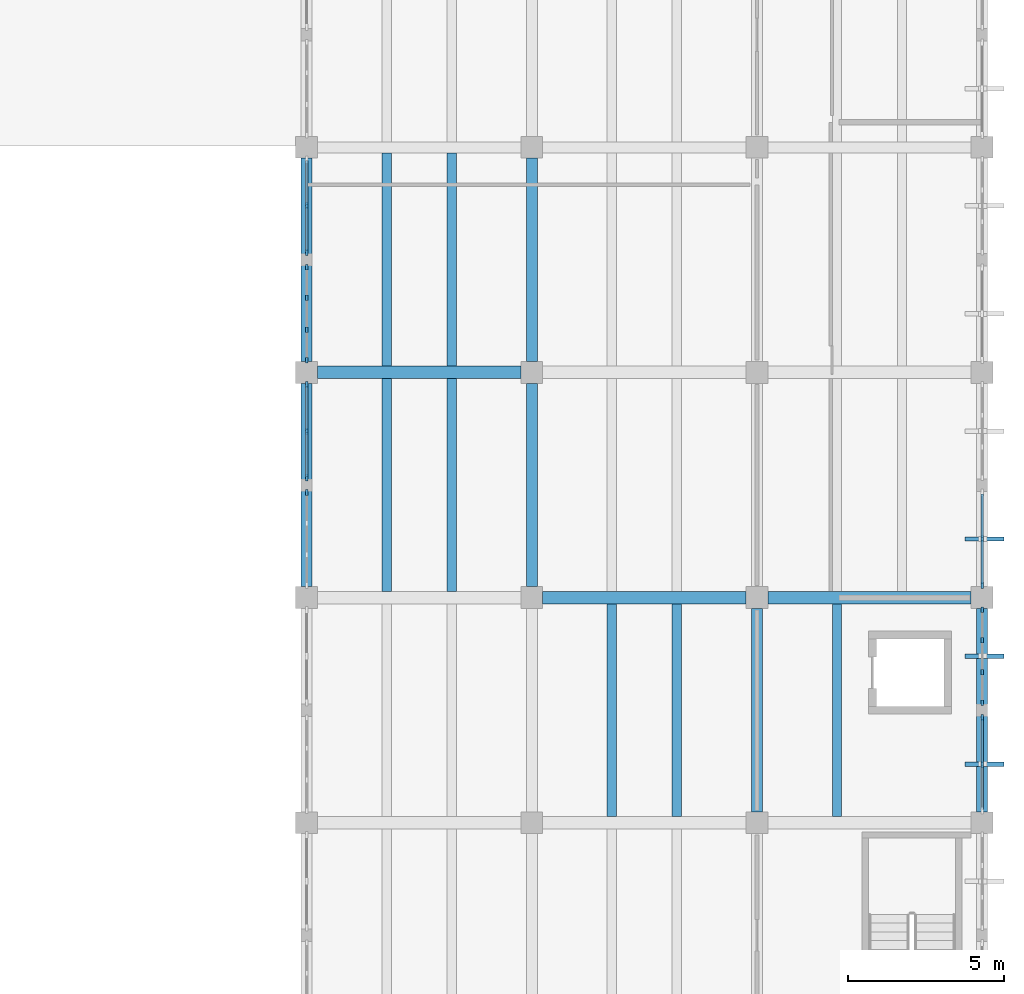
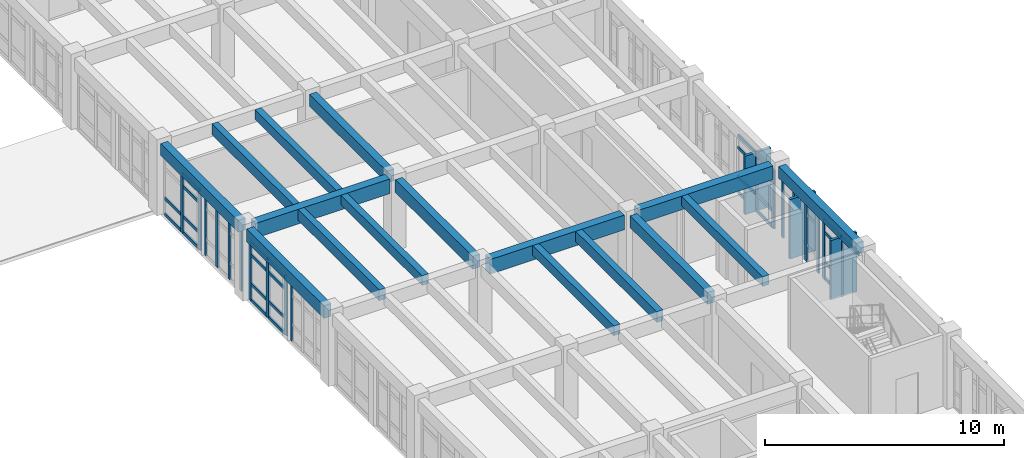
# One storey, part 14 of 54: 48 members, 16 beams, 7 elements without a shape of their own.
"""IFC4 building model written with IfcOpenShell, lengths in metres."""

import ifcopenshell
import ifcopenshell.guid

model = None  # the IFC model being written
_history = None  # IfcOwnerHistory: only IFC2X3 demands one
_inside = {}  # id of a spatial element -> (the spatial element, [elements in it])
_under = {}  # id of a project, library or spatial element -> (it, [spatial elements below it])
_declared = {}  # id of a project -> (the project, [libraries it declares])
_typed = {}  # id of a type object -> (the type object, [elements of that type])
_made_of = {}  # id of a material, layer set ... -> (it, [elements and type objects made of it])


def new_model(schema):
    """Start an empty IFC model of exactly this schema.

    Asked for "IFC4X3", IfcOpenShell would pick the latest addendum, in which some entities
    have other attributes; the version numbers below select the first issue.
    IFC2X3 requires an IfcOwnerHistory on every rooted entity: one is made here for all.
    """
    global model, _history
    if schema == "IFC4X3":
        model = ifcopenshell.file(schema_version=(4, 3, 0, 0))
    else:
        model = ifcopenshell.file(schema=schema)
    _inside.clear()
    _under.clear()
    _declared.clear()
    _typed.clear()
    _made_of.clear()
    _history = None
    if model.schema == "IFC2X3":
        org = make("IfcOrganization", Name="unknown")
        user = make(
            "IfcPersonAndOrganization",
            ThePerson=make("IfcPerson", FamilyName="unknown"),
            TheOrganization=org,
        )
        app = make(
            "IfcApplication",
            ApplicationDeveloper=org,
            Version="unknown",
            ApplicationFullName="unknown",
            ApplicationIdentifier="unknown",
        )
        _history = make(
            "IfcOwnerHistory",
            OwningUser=user,
            OwningApplication=app,
            ChangeAction="ADDED",
            CreationDate=0,
        )
    return model


def make(cls, **values):
    """One entity of the class cls with the attributes given. An attribute that is None is left unset."""
    return model.create_entity(
        cls, **{name: value for name, value in values.items() if value is not None}
    )


def rooted(cls, **values):
    """An entity with a GlobalId (a new one), such as an element, a storey or a relation."""
    return make(cls, GlobalId=ifcopenshell.guid.new(), OwnerHistory=_history, **values)


def si_unit(unit_type, name, prefix=None):
    """IfcSIUnit, for example si_unit("LENGTHUNIT", "METRE", prefix="MILLI")."""
    return make("IfcSIUnit", UnitType=unit_type, Prefix=prefix, Name=name)


def assignment(units):
    """IfcUnitAssignment: the units of a project."""
    return None if units is None else make("IfcUnitAssignment", Units=units)


def point(xyz):
    """IfcCartesianPoint."""
    return None if xyz is None else make("IfcCartesianPoint", Coordinates=xyz)


def direction(xyz):
    """IfcDirection."""
    return None if xyz is None else make("IfcDirection", DirectionRatios=xyz)


def frame(location, z_axis=None, x_axis=None):
    """IfcAxis2Placement3D, a coordinate frame: its origin and axes. An axis left out is left unset."""
    return make(
        "IfcAxis2Placement3D",
        Location=point(location),
        Axis=direction(z_axis),
        RefDirection=direction(x_axis),
    )


def frame_2d(location, x_axis=None):
    """IfcAxis2Placement2D, a coordinate frame in the plane: its origin and x axis."""
    return make(
        "IfcAxis2Placement2D", Location=point(location), RefDirection=direction(x_axis)
    )


def origin():
    """The frame at (0, 0, 0) with its axes left unset."""
    return frame((0.0, 0.0, 0.0))


def origin_2d():
    """The frame at (0, 0) in the plane with its x axis left unset."""
    return frame_2d((0.0, 0.0))


def place(relative_to, where):
    """IfcLocalPlacement: puts the frame where relative to a parent placement (None: the world)."""
    return make(
        "IfcLocalPlacement", PlacementRelTo=relative_to, RelativePlacement=where
    )


def context(
    kind, dimensions, precision=None, world=None, true_north=None, identifier=None
):
    """IfcGeometricRepresentationContext, for example the 3D "Model" context."""
    return make(
        "IfcGeometricRepresentationContext",
        ContextIdentifier=identifier,
        ContextType=kind,
        CoordinateSpaceDimension=dimensions,
        Precision=precision,
        WorldCoordinateSystem=world,
        TrueNorth=true_north,
    )


def subcontext(parent, identifier, kind, view, scale=None):
    """IfcGeometricRepresentationSubContext, for example "Body" below "Model"."""
    return make(
        "IfcGeometricRepresentationSubContext",
        ContextIdentifier=identifier,
        ContextType=kind,
        ParentContext=parent,
        TargetScale=scale,
        TargetView=view,
    )


def project(units=None, contexts=None):
    """IfcProject with its units and contexts."""
    return rooted(
        "IfcProject",
        Name="project",
        RepresentationContexts=contexts,
        UnitsInContext=assignment(units),
    )


def spatial(cls, under=None, at=None, **own):
    """A site, building, storey or space (cls), placed at a placement, below another one or the project."""
    s = rooted(cls, ObjectPlacement=at, **own)
    if under is not None:
        _under.setdefault(under.id(), (under, []))[1].append(s)
    return s


def profile(cls, at=None, kind="AREA", **sizes):
    """A parametric profile (cls). Its sizes go by their IFC names, for example OverallWidth=200.0."""
    return make(cls, ProfileType=kind, Position=at, **sizes)


def rectangle(**sizes):
    """IfcRectangleProfileDef."""
    return profile("IfcRectangleProfileDef", **sizes)


def extrude(swept, where, along, depth):
    """IfcExtrudedAreaSolid: the profile swept, set in the frame where, extruded along a direction by depth."""
    return make(
        "IfcExtrudedAreaSolid",
        SweptArea=swept,
        Position=where,
        ExtrudedDirection=direction(along),
        Depth=depth,
    )


def shape(context_of_items, identifier, shape_type, items):
    """IfcShapeRepresentation: the items that make up one representation, for example the "Body"."""
    return make(
        "IfcShapeRepresentation",
        ContextOfItems=context_of_items,
        RepresentationIdentifier=identifier,
        RepresentationType=shape_type,
        Items=items,
    )


def material(Name=None, Category=None):
    """IfcMaterial."""
    return make("IfcMaterial", Name=Name, Category=Category)


def layer(
    of_material, thickness, ventilated=None, Name=None, Category=None, Priority=None
):
    """IfcMaterialLayer: one layer of a wall or slab, of a material (None: an air gap)."""
    return make(
        "IfcMaterialLayer",
        Material=of_material,
        LayerThickness=thickness,
        IsVentilated=ventilated,
        Name=Name,
        Category=Category,
        Priority=Priority,
    )


def layer_set(layers, Name=None):
    """IfcMaterialLayerSet."""
    return make("IfcMaterialLayerSet", MaterialLayers=layers, LayerSetName=Name)


def material_profile(
    of_material, cross_section, Name=None, Category=None, Priority=None
):
    """IfcMaterialProfile: a cross section and its material."""
    return make(
        "IfcMaterialProfile",
        Name=Name,
        Material=of_material,
        Profile=cross_section,
        Priority=Priority,
        Category=Category,
    )


def profile_set(profiles, Name=None, composite=None):
    """IfcMaterialProfileSet."""
    return make(
        "IfcMaterialProfileSet",
        Name=Name,
        MaterialProfiles=profiles,
        CompositeProfile=composite,
    )


def made_of(thing, what):
    """Note that an element or type object is made of a material, layer set ...; save() writes the relation."""
    if what is not None:
        _made_of.setdefault(what.id(), (what, []))[1].append(thing)
    return thing


def type_object(cls, material=None, **own):
    """A type object (cls), such as IfcWallType, which elements share."""
    return made_of(rooted(cls, **own), material)


def element(
    cls,
    number,
    at=None,
    inside=None,
    cuts=None,
    type_object=None,
    material=None,
    context=None,
    identifier="Body",
    shape_type=None,
    held_by="IfcProductDefinitionShape",
    body=None,
    shapes=None,
    **own,
):
    """One element of the class cls, such as IfcWall. Its Tag is "e" and its number.

    at: its placement. inside: the storey or other place that contains it. cuts: it is an
    opening in that element (IfcRelVoidsElement). A single representation is given by context,
    identifier, shape_type and body (its items); several are given by shapes. held_by: the class
    of the entity that holds the representations. save() writes the other relations.
    """
    e = rooted(cls, Tag="e%d" % number, ObjectPlacement=at, **own)
    if body is not None:
        shapes = [shape(context, identifier, shape_type, body)]
    if shapes is not None:
        e.Representation = make(held_by, Representations=shapes)
    if inside is not None:
        _inside.setdefault(inside.id(), (inside, []))[1].append(e)
    if cuts is not None:
        rooted(
            "IfcRelVoidsElement", RelatingBuildingElement=cuts, RelatedOpeningElement=e
        )
    if type_object is not None:
        _typed.setdefault(type_object.id(), (type_object, []))[1].append(e)
    return made_of(e, material)


def aggregate(whole, parts):
    """IfcRelAggregates: a whole, such as a stair, and the parts it consists of."""
    return rooted("IfcRelAggregates", RelatingObject=whole, RelatedObjects=parts)


def save(model, path):
    """Write the relations noted so far, then the file.

    IfcRelAggregates (storeys below a building ...), IfcRelContainedInSpatialStructure (elements
    in a storey), IfcRelDefinesByType, IfcRelAssociatesMaterial and IfcRelDeclares: one each for
    every whole, place, type object, material and project.
    """
    for whole, parts in _under.values():
        aggregate(whole, parts)
    for where, things in _inside.values():
        rooted(
            "IfcRelContainedInSpatialStructure",
            RelatedElements=things,
            RelatingStructure=where,
        )
    for kind, things in _typed.values():
        rooted("IfcRelDefinesByType", RelatedObjects=things, RelatingType=kind)
    for what, things in _made_of.values():
        rooted("IfcRelAssociatesMaterial", RelatedObjects=things, RelatingMaterial=what)
    for by, libraries in _declared.values():
        rooted("IfcRelDeclares", RelatingContext=by, RelatedDefinitions=libraries)
    model.write(path)


model = new_model("IFC4")

# Units and contexts
model_context = context("Model", 3, precision=1e-05, world=origin(), true_north=direction((0.0, 1.0)))
body_context = subcontext(model_context, "Body", "Model", "MODEL_VIEW")
ifc_project = project(units=[si_unit("LENGTHUNIT", "METRE"), si_unit("AREAUNIT", "SQUARE_METRE"), si_unit("VOLUMEUNIT", "CUBIC_METRE"), si_unit("PLANEANGLEUNIT", "RADIAN"), si_unit("MASSUNIT", "GRAM", prefix="KILO")], contexts=[model_context])

# Site, building, storey
site_placement = place(None, origin())
site = spatial("IfcSite", under=ifc_project, at=site_placement, CompositionType="ELEMENT")
building_placement = place(site_placement, origin())
building = spatial("IfcBuilding", under=site, at=building_placement, Name="Koriwan Promenade Central Fire Station", CompositionType="ELEMENT")
storey_placement = place(building_placement, frame((0.0, 0.0, 9.60009765625)))
storey = spatial("IfcBuildingStorey", under=building, at=storey_placement, Name="L02", CompositionType="ELEMENT", Elevation=9.60009765625)

# Beams
ifc_material_1 = material(Name="Concrete C35/45", Category="concrete")
ifc_material_profile_1 = material_profile(ifc_material_1, rectangle(XDim=0.300048828125, YDim=0.5, at=origin_2d()), Name="RC-BM-300x500")
ifc_profile_set_1 = profile_set([ifc_material_profile_1], Name="Concrete C35/45")
beam_type_1 = type_object("IfcBeamType", Name="Beam_RC-BM-300x500", PredefinedType="JOIST", material=ifc_profile_set_1)
for number, where, z_axis, x_axis, name in (
    (1, (160.9599609375, 21.800048828125, 3.39990234375), (0.0, 1.0, 0.0), (-1.0, 0.0, 0.0), "V5 L02 secondary joist 833"),
    (2, (168.159912109375, 21.800048828125, 3.39990234375), (0.0, 1.0, 0.0), (-1.0, 0.0, 0.0), "V5 L02 secondary joist 835"),
    (3, (155.840087890625, 29.0, 3.39990234375), (0.0, 1.0, 0.0), (-1.0, 0.0, 0.0), "V5 L02 secondary joist 837"),
):
    element("IfcBeam", number, at=place(storey_placement, frame(where, z_axis=z_axis, x_axis=x_axis)), inside=storey, type_object=beam_type_1, Name=name, PredefinedType="JOIST", context=body_context, shape_type="SweptSolid", body=[
        extrude(rectangle(XDim=0.300048828125, YDim=0.5, at=origin_2d()), origin(), (0.0, 0.0, 1.0), 6.800048828125),
    ])
beam_1_placement = place(storey_placement, frame((155.840087890625, 36.199951171875, 3.39990234375), z_axis=(0.0, 1.0, 0.0), x_axis=(-1.0, 0.0, 0.0)))
element("IfcBeam", 4, at=beam_1_placement, inside=storey, type_object=beam_type_1, Name="V5 L02 secondary joist 843", PredefinedType="JOIST", context=body_context, shape_type="SweptSolid", body=[
    extrude(rectangle(XDim=0.300048828125, YDim=0.5, at=origin_2d()), origin(), (0.0, 0.0, 1.0), 6.824951171875),
])
ifc_material_profile_2 = material_profile(ifc_material_1, rectangle(XDim=0.300048828125, YDim=0.550048828125, at=origin_2d()), Name="RC-BM-300x550")
ifc_profile_set_2 = profile_set([ifc_material_profile_2], Name="Concrete C35/45")
beam_type_2 = type_object("IfcBeamType", Name="Beam_RC-BM-300x550", PredefinedType="JOIST", material=ifc_profile_set_2)
for number, where, z_axis, x_axis, name in (
    (5, (163.0400390625, 21.800048828125, 3.375), (0.0, 1.0, 0.0), (-1.0, 0.0, 0.0), "V5 L02 secondary joist 834"),
    (6, (153.760009765625, 29.0, 3.375), (0.0, 1.0, 0.0), (-1.0, 0.0, 0.0), "V5 L02 secondary joist 836"),
):
    element("IfcBeam", number, at=place(storey_placement, frame(where, z_axis=z_axis, x_axis=x_axis)), inside=storey, type_object=beam_type_2, Name=name, PredefinedType="JOIST", context=body_context, shape_type="SweptSolid", body=[
        extrude(rectangle(XDim=0.300048828125, YDim=0.550048828125, at=origin_2d()), origin(), (0.0, 0.0, 1.0), 6.800048828125),
    ])
beam_2_placement = place(storey_placement, frame((153.760009765625, 36.199951171875, 3.375), z_axis=(0.0, 1.0, 0.0), x_axis=(-1.0, 0.0, 0.0)))
element("IfcBeam", 7, at=beam_2_placement, inside=storey, type_object=beam_type_2, Name="V5 L02 secondary joist 842", PredefinedType="JOIST", context=body_context, shape_type="SweptSolid", body=[
    extrude(rectangle(XDim=0.300048828125, YDim=0.550048828125, at=origin_2d()), origin(), (0.0, 0.0, 1.0), 6.824951171875),
])
ifc_material_profile_3 = material_profile(ifc_material_1, rectangle(XDim=0.35009765625, YDim=0.60009765625, at=origin_2d()), Name="RC-BM-350x600")
ifc_profile_set_3 = profile_set([ifc_material_profile_3], Name="Concrete C35/45")
beam_type_3 = type_object("IfcBeamType", Name="Beam_RC-BM-350x600", PredefinedType="BEAM", material=ifc_profile_set_3)
for number, where, z_axis, x_axis, name in (
    (8, (151.199951171875, 36.35009765625, 3.349853515625), (0.0, 1.0, 0.0), (-1.0, 0.0, 0.0), "V5 L02 girder Y-790"),
    (9, (158.39990234375, 36.35009765625, 3.349853515625), (0.0, 1.0, 0.0), (-1.0, 0.0, 0.0), "V5 L02 girder Y-798"),
    (10, (165.60009765625, 21.949951171875, 3.349853515625), (0.0, 1.0, 0.0), (-1.0, 0.0, 0.0), "V5 L02 girder Y-804"),
    (11, (172.800048828125, 21.949951171875, 3.349853515625), (0.0, 1.0, 0.0), (-1.0, 0.0, 0.0), "V5 L02 girder Y-812"),
):
    element("IfcBeam", number, at=place(storey_placement, frame(where, z_axis=z_axis, x_axis=x_axis)), inside=storey, type_object=beam_type_3, Name=name, PredefinedType="BEAM", context=body_context, shape_type="SweptSolid", body=[
        extrude(rectangle(XDim=0.35009765625, YDim=0.60009765625, at=origin_2d()), origin(), (0.0, 0.0, 1.0), 6.5),
    ])
ifc_material_profile_4 = material_profile(ifc_material_1, rectangle(XDim=0.35009765625, YDim=0.64990234375, at=origin_2d()), Name="RC-BM-350x650")
ifc_profile_set_4 = profile_set([ifc_material_profile_4], Name="Concrete C35/45")
beam_type_4 = type_object("IfcBeamType", Name="Beam_RC-BM-350x650", PredefinedType="BEAM", material=ifc_profile_set_4)
for number, where, z_axis, x_axis, name in (
    (12, (151.199951171875, 29.14990234375, 3.324951171875), (0.0, 1.0, 0.0), (-1.0, 0.0, 0.0), "V5 L02 girder Y-789"),
    (13, (158.39990234375, 29.14990234375, 3.324951171875), (0.0, 1.0, 0.0), (-1.0, 0.0, 0.0), "V5 L02 girder Y-797"),
):
    element("IfcBeam", number, at=place(storey_placement, frame(where, z_axis=z_axis, x_axis=x_axis)), inside=storey, type_object=beam_type_4, Name=name, PredefinedType="BEAM", context=body_context, shape_type="SweptSolid", body=[
        extrude(rectangle(XDim=0.35009765625, YDim=0.64990234375, at=origin_2d()), origin(), (0.0, 0.0, 1.0), 6.5),
    ])
ifc_material_profile_5 = material_profile(ifc_material_1, rectangle(XDim=0.39990234375, YDim=0.699951171875, at=origin_2d()), Name="RC-BM-400x700")
ifc_profile_set_5 = profile_set([ifc_material_profile_5], Name="Concrete C35/45")
beam_type_5 = type_object("IfcBeamType", Name="Beam_RC-BM-400x700", PredefinedType="BEAM", material=ifc_profile_set_5)
beam_3_placement = place(storey_placement, frame((165.949951171875, 28.800048828125, 3.2998046875), z_axis=(1.0, 0.0, 0.0), x_axis=(0.0, 1.0, 0.0)))
element("IfcBeam", 14, at=beam_3_placement, inside=storey, type_object=beam_type_5, Name="V5 L02 girder X-770", PredefinedType="BEAM", context=body_context, shape_type="SweptSolid", body=[
    extrude(rectangle(XDim=0.39990234375, YDim=0.699951171875, at=origin_2d()), origin(), (0.0, 0.0, 1.0), 6.5),
])
ifc_material_profile_6 = material_profile(ifc_material_1, rectangle(XDim=0.39990234375, YDim=0.75, at=origin_2d()), Name="RC-BM-400x750")
ifc_profile_set_6 = profile_set([ifc_material_profile_6], Name="Concrete C35/45")
beam_type_6 = type_object("IfcBeamType", Name="Beam_RC-BM-400x750", PredefinedType="BEAM", material=ifc_profile_set_6)
for number, where, z_axis, x_axis, name in (
    (15, (158.75, 28.800048828125, 3.27490234375), (1.0, 0.0, 0.0), (0.0, 1.0, 0.0), "V5 L02 girder X-769"),
    (16, (151.550048828125, 36.0, 3.27490234375), (1.0, 0.0, 0.0), (0.0, 1.0, 0.0), "V5 L02 girder X-771"),
):
    element("IfcBeam", number, at=place(storey_placement, frame(where, z_axis=z_axis, x_axis=x_axis)), inside=storey, type_object=beam_type_6, Name=name, PredefinedType="BEAM", context=body_context, shape_type="SweptSolid", body=[
        extrude(rectangle(XDim=0.39990234375, YDim=0.75, at=origin_2d()), origin(), (0.0, 0.0, 1.0), 6.5),
    ])

# Curtain wall, member
ifc_material_2 = material(Name="Aluminium EN AW-6063-T6 and low-E glazing", Category="aluminium")
ifc_layer_1 = layer(ifc_material_2, 0.159912109375, Name="Aluminium EN AW-6063-T6 and low-E glazing")
ifc_layer_set_1 = layer_set([ifc_layer_1], Name="Aluminium EN AW-6063-T6 and low-E glazing")
curtain_wall_type_1 = type_object("IfcCurtainWallType", Name="CurtainWall_73_305x299", PredefinedType="USERDEFINED", material=ifc_layer_set_1)
curtain_wall_1_placement = place(storey_placement, origin())
curtain_wall_1 = element("IfcCurtainWall", 17, at=curtain_wall_1_placement, inside=storey, type_object=curtain_wall_type_1, Name="V5 L02 unitised curtain wall 227", ObjectType="UNITISED CURTAIN WALL", PredefinedType="USERDEFINED")
ifc_material_3 = material(Name="Aluminium EN AW-6063-T6", Category="aluminium")
ifc_material_profile_7 = material_profile(ifc_material_3, rectangle(XDim=0.074951171875, YDim=0.179931640625, at=origin_2d()), Name="ALU-MUL-75x180")
ifc_profile_set_7 = profile_set([ifc_material_profile_7], Name="Aluminium EN AW-6063-T6")
member_type_1 = type_object("IfcMemberType", Name="CWMullion_ALU-MUL-75x180", PredefinedType="MULLION", material=ifc_profile_set_7)
member_1_placement = place(storey_placement, frame((151.199951171875, 32.16259765625, 0.0), z_axis=(0.0, 0.0, 1.0), x_axis=(-1.0, 0.0, 0.0)))
member_1 = element("IfcMember", 18, at=member_1_placement, type_object=member_type_1, Name="CW-73 mullion 4", PredefinedType="MULLION", context=body_context, shape_type="SweptSolid", body=[
    extrude(rectangle(XDim=0.074951171875, YDim=0.179931640625, at=origin_2d()), origin(), (0.0, 0.0, 1.0), 2.989990234375),
])
aggregate(curtain_wall_1, [member_1])

# Curtain wall, members
ifc_layer_2 = layer(ifc_material_2, 0.159912109375, Name="Aluminium EN AW-6063-T6 and low-E glazing")
ifc_layer_set_2 = layer_set([ifc_layer_2], Name="Aluminium EN AW-6063-T6 and low-E glazing")
curtain_wall_type_2 = type_object("IfcCurtainWallType", Name="CurtainWall_80_305x304", PredefinedType="USERDEFINED", material=ifc_layer_set_2)
curtain_wall_2_placement = place(storey_placement, origin())
curtain_wall_2 = element("IfcCurtainWall", 19, at=curtain_wall_2_placement, inside=storey, type_object=curtain_wall_type_2, Name="V5 L02 unitised curtain wall 229", ObjectType="UNITISED CURTAIN WALL", PredefinedType="USERDEFINED")
member_2_placement = place(storey_placement, frame((151.199951171875, 36.387451171875, 0.0), z_axis=(0.0, 0.0, 1.0), x_axis=(-1.0, 0.0, 0.0)))
member_2 = element("IfcMember", 20, at=member_2_placement, type_object=member_type_1, Name="CW-80 mullion 1", PredefinedType="MULLION", context=body_context, shape_type="SweptSolid", body=[
    extrude(rectangle(XDim=0.074951171875, YDim=0.179931640625, at=origin_2d()), origin(), (0.0, 0.0, 1.0), 3.039794921875),
])
member_3_placement = place(storey_placement, frame((151.199951171875, 37.36669921875, 0.0), z_axis=(0.0, 0.0, 1.0), x_axis=(-1.0, 0.0, 0.0)))
member_3 = element("IfcMember", 21, at=member_3_placement, type_object=member_type_1, Name="CW-80 mullion 2", PredefinedType="MULLION", context=body_context, shape_type="SweptSolid", body=[
    extrude(rectangle(XDim=0.074951171875, YDim=0.179931640625, at=origin_2d()), origin(), (0.0, 0.0, 1.0), 3.039794921875),
])
member_4_placement = place(storey_placement, frame((151.199951171875, 38.38330078125, 0.0), z_axis=(0.0, 0.0, 1.0), x_axis=(-1.0, 0.0, 0.0)))
member_4 = element("IfcMember", 22, at=member_4_placement, type_object=member_type_1, Name="CW-80 mullion 3", PredefinedType="MULLION", context=body_context, shape_type="SweptSolid", body=[
    extrude(rectangle(XDim=0.074951171875, YDim=0.179931640625, at=origin_2d()), origin(), (0.0, 0.0, 1.0), 3.039794921875),
])
member_5_placement = place(storey_placement, frame((151.199951171875, 39.362548828125, 0.0), z_axis=(0.0, 0.0, 1.0), x_axis=(-1.0, 0.0, 0.0)))
member_5 = element("IfcMember", 23, at=member_5_placement, type_object=member_type_1, Name="CW-80 mullion 4", PredefinedType="MULLION", context=body_context, shape_type="SweptSolid", body=[
    extrude(rectangle(XDim=0.074951171875, YDim=0.179931640625, at=origin_2d()), origin(), (0.0, 0.0, 1.0), 3.039794921875),
])
aggregate(curtain_wall_2, [member_2, member_3, member_4, member_5])

curtain_wall_3_placement = place(storey_placement, origin())
curtain_wall_3 = element("IfcCurtainWall", 24, at=curtain_wall_3_placement, inside=storey, type_object=curtain_wall_type_2, Name="V5 L02 unitised curtain wall 243", ObjectType="UNITISED CURTAIN WALL", PredefinedType="USERDEFINED")
member_6_placement = place(storey_placement, frame((172.800048828125, 28.41259765625, 0.0), z_axis=(0.0, 0.0, 1.0), x_axis=(1.0, 0.0, 0.0)))
member_6 = element("IfcMember", 25, at=member_6_placement, type_object=member_type_1, Name="CW-80 mullion 1", PredefinedType="MULLION", context=body_context, shape_type="SweptSolid", body=[
    extrude(rectangle(XDim=0.074951171875, YDim=0.179931640625, at=origin_2d()), origin(), (0.0, 0.0, 1.0), 3.039794921875),
])
member_7_placement = place(storey_placement, frame((172.800048828125, 27.433349609375, 0.0), z_axis=(0.0, 0.0, 1.0), x_axis=(1.0, 0.0, 0.0)))
member_7 = element("IfcMember", 26, at=member_7_placement, type_object=member_type_1, Name="CW-80 mullion 2", PredefinedType="MULLION", context=body_context, shape_type="SweptSolid", body=[
    extrude(rectangle(XDim=0.074951171875, YDim=0.179931640625, at=origin_2d()), origin(), (0.0, 0.0, 1.0), 3.039794921875),
])
member_8_placement = place(storey_placement, frame((172.800048828125, 26.416748046875, 0.0), z_axis=(0.0, 0.0, 1.0), x_axis=(1.0, 0.0, 0.0)))
member_8 = element("IfcMember", 27, at=member_8_placement, type_object=member_type_1, Name="CW-80 mullion 3", PredefinedType="MULLION", context=body_context, shape_type="SweptSolid", body=[
    extrude(rectangle(XDim=0.074951171875, YDim=0.179931640625, at=origin_2d()), origin(), (0.0, 0.0, 1.0), 3.039794921875),
])
member_9_placement = place(storey_placement, frame((172.800048828125, 25.4375, 0.0), z_axis=(0.0, 0.0, 1.0), x_axis=(1.0, 0.0, 0.0)))
member_9 = element("IfcMember", 28, at=member_9_placement, type_object=member_type_1, Name="CW-80 mullion 4", PredefinedType="MULLION", context=body_context, shape_type="SweptSolid", body=[
    extrude(rectangle(XDim=0.074951171875, YDim=0.179931640625, at=origin_2d()), origin(), (0.0, 0.0, 1.0), 3.039794921875),
])
aggregate(curtain_wall_3, [member_6, member_7, member_8, member_9])

ifc_layer_3 = layer(ifc_material_2, 0.159912109375, Name="Aluminium EN AW-6063-T6 and low-E glazing")
ifc_layer_set_3 = layer_set([ifc_layer_3], Name="Aluminium EN AW-6063-T6 and low-E glazing")
curtain_wall_type_3 = type_object("IfcCurtainWallType", Name="CurtainWall_10_305x299", PredefinedType="USERDEFINED", material=ifc_layer_set_3)
curtain_wall_4_placement = place(storey_placement, origin())
curtain_wall_4 = element("IfcCurtainWall", 29, at=curtain_wall_4_placement, inside=storey, type_object=curtain_wall_type_3, Name="V5 L02 unitised curtain wall 228", ObjectType="UNITISED CURTAIN WALL", PredefinedType="USERDEFINED")
ifc_material_profile_8 = material_profile(ifc_material_3, rectangle(XDim=0.080078125, YDim=0.2099609375, at=origin_2d()), Name="ALU-MUL-80x210")
ifc_profile_set_8 = profile_set([ifc_material_profile_8], Name="Aluminium EN AW-6063-T6")
member_type_2 = type_object("IfcMemberType", Name="CWMullion_ALU-MUL-80x210", PredefinedType="MULLION", material=ifc_profile_set_8)
member_10_placement = place(storey_placement, frame((151.199951171875, 32.639892578125, 0.0), z_axis=(0.0, 0.0, 1.0), x_axis=(-1.0, 0.0, 0.0)))
member_10 = element("IfcMember", 30, at=member_10_placement, type_object=member_type_2, Name="CW-10 mullion 1", PredefinedType="MULLION", context=body_context, shape_type="SweptSolid", body=[
    extrude(rectangle(XDim=0.080078125, YDim=0.2099609375, at=origin_2d()), origin(), (0.0, 0.0, 1.0), 2.989990234375),
])
member_11_placement = place(storey_placement, frame((151.199951171875, 34.125, 0.0), z_axis=(0.0, 0.0, 1.0), x_axis=(-1.0, 0.0, 0.0)))
member_11 = element("IfcMember", 31, at=member_11_placement, type_object=member_type_2, Name="CW-10 mullion 2", PredefinedType="MULLION", context=body_context, shape_type="SweptSolid", body=[
    extrude(rectangle(XDim=0.080078125, YDim=0.2099609375, at=origin_2d()), origin(), (0.0, 0.0, 1.0), 2.989990234375),
])
member_12_placement = place(storey_placement, frame((151.199951171875, 35.610107421875, 0.0), z_axis=(0.0, 0.0, 1.0), x_axis=(-1.0, 0.0, 0.0)))
member_12 = element("IfcMember", 32, at=member_12_placement, type_object=member_type_2, Name="CW-10 mullion 3", PredefinedType="MULLION", context=body_context, shape_type="SweptSolid", body=[
    extrude(rectangle(XDim=0.080078125, YDim=0.2099609375, at=origin_2d()), origin(), (0.0, 0.0, 1.0), 2.989990234375),
])

ifc_layer_4 = layer(ifc_material_2, 0.159912109375, Name="Aluminium EN AW-6063-T6 and low-E glazing")
ifc_layer_set_4 = layer_set([ifc_layer_4], Name="Aluminium EN AW-6063-T6 and low-E glazing")
curtain_wall_type_4 = type_object("IfcCurtainWallType", Name="CurtainWall_81_305x304", PredefinedType="USERDEFINED", material=ifc_layer_set_4)
curtain_wall_5_placement = place(storey_placement, origin())
curtain_wall_5 = element("IfcCurtainWall", 33, at=curtain_wall_5_placement, inside=storey, type_object=curtain_wall_type_4, Name="V5 L02 unitised curtain wall 230", ObjectType="UNITISED CURTAIN WALL", PredefinedType="USERDEFINED")
member_13_placement = place(storey_placement, frame((151.199951171875, 39.840087890625, 0.0), z_axis=(0.0, 0.0, 1.0), x_axis=(-1.0, 0.0, 0.0)))
member_13 = element("IfcMember", 34, at=member_13_placement, type_object=member_type_2, Name="CW-81 mullion 1", PredefinedType="MULLION", context=body_context, shape_type="SweptSolid", body=[
    extrude(rectangle(XDim=0.080078125, YDim=0.2099609375, at=origin_2d()), origin(), (0.0, 0.0, 1.0), 3.039794921875),
])
member_14_placement = place(storey_placement, frame((151.199951171875, 41.324951171875, 0.0), z_axis=(0.0, 0.0, 1.0), x_axis=(-1.0, 0.0, 0.0)))
member_14 = element("IfcMember", 35, at=member_14_placement, type_object=member_type_2, Name="CW-81 mullion 2", PredefinedType="MULLION", context=body_context, shape_type="SweptSolid", body=[
    extrude(rectangle(XDim=0.080078125, YDim=0.2099609375, at=origin_2d()), origin(), (0.0, 0.0, 1.0), 3.039794921875),
])

curtain_wall_6_placement = place(storey_placement, origin())
curtain_wall_6 = element("IfcCurtainWall", 36, at=curtain_wall_6_placement, inside=storey, type_object=curtain_wall_type_3, Name="V5 L02 unitised curtain wall 242", ObjectType="UNITISED CURTAIN WALL", PredefinedType="USERDEFINED")
member_15_placement = place(storey_placement, frame((172.800048828125, 30.675048828125, 0.0), z_axis=(0.0, 0.0, 1.0), x_axis=(1.0, 0.0, 0.0)))
member_15 = element("IfcMember", 37, at=member_15_placement, type_object=member_type_2, Name="CW-10 mullion 2", PredefinedType="MULLION", context=body_context, shape_type="SweptSolid", body=[
    extrude(rectangle(XDim=0.080078125, YDim=0.2099609375, at=origin_2d()), origin(), (0.0, 0.0, 1.0), 2.989990234375),
])
member_16_placement = place(storey_placement, frame((172.800048828125, 29.18994140625, 0.0), z_axis=(0.0, 0.0, 1.0), x_axis=(1.0, 0.0, 0.0)))
member_16 = element("IfcMember", 38, at=member_16_placement, type_object=member_type_2, Name="CW-10 mullion 3", PredefinedType="MULLION", context=body_context, shape_type="SweptSolid", body=[
    extrude(rectangle(XDim=0.080078125, YDim=0.2099609375, at=origin_2d()), origin(), (0.0, 0.0, 1.0), 2.989990234375),
])

curtain_wall_7_placement = place(storey_placement, origin())
curtain_wall_7 = element("IfcCurtainWall", 39, at=curtain_wall_7_placement, inside=storey, type_object=curtain_wall_type_4, Name="V5 L02 unitised curtain wall 244", ObjectType="UNITISED CURTAIN WALL", PredefinedType="USERDEFINED")
member_17_placement = place(storey_placement, frame((172.800048828125, 24.9599609375, 0.0), z_axis=(0.0, 0.0, 1.0), x_axis=(1.0, 0.0, 0.0)))
member_17 = element("IfcMember", 40, at=member_17_placement, type_object=member_type_2, Name="CW-81 mullion 1", PredefinedType="MULLION", context=body_context, shape_type="SweptSolid", body=[
    extrude(rectangle(XDim=0.080078125, YDim=0.2099609375, at=origin_2d()), origin(), (0.0, 0.0, 1.0), 3.039794921875),
])
member_18_placement = place(storey_placement, frame((172.800048828125, 23.47509765625, 0.0), z_axis=(0.0, 0.0, 1.0), x_axis=(1.0, 0.0, 0.0)))
member_18 = element("IfcMember", 41, at=member_18_placement, type_object=member_type_2, Name="CW-81 mullion 2", PredefinedType="MULLION", context=body_context, shape_type="SweptSolid", body=[
    extrude(rectangle(XDim=0.080078125, YDim=0.2099609375, at=origin_2d()), origin(), (0.0, 0.0, 1.0), 3.039794921875),
])

# Member
ifc_material_profile_9 = material_profile(ifc_material_3, rectangle(XDim=0.080078125, YDim=0.155029296875, at=origin_2d()), Name="ALU-TRN-80x155")
ifc_profile_set_9 = profile_set([ifc_material_profile_9], Name="Aluminium EN AW-6063-T6")
member_type_3 = type_object("IfcMemberType", Name="CWTransom_ALU-TRN-80x155", PredefinedType="USERDEFINED", material=ifc_profile_set_9)
member_19_placement = place(storey_placement, frame((151.199951171875, 32.679931640625, 0.039794921875), z_axis=(0.0, 1.0, 0.0), x_axis=(-1.0, 0.0, 0.0)))
member_19 = element("IfcMember", 42, at=member_19_placement, type_object=member_type_3, Name="CW-10 transom 1.1", ObjectType="TRANSOM", PredefinedType="USERDEFINED", context=body_context, shape_type="SweptSolid", body=[
    extrude(rectangle(XDim=0.080078125, YDim=0.155029296875, at=origin_2d()), origin(), (0.0, 0.0, 1.0), 1.405029296875),
])

member_20_placement = place(storey_placement, frame((151.199951171875, 32.679931640625, 0.849853515625), z_axis=(0.0, 1.0, 0.0), x_axis=(-1.0, 0.0, 0.0)))
member_20 = element("IfcMember", 43, at=member_20_placement, type_object=member_type_3, Name="CW-10 transom 1.2", ObjectType="TRANSOM", PredefinedType="USERDEFINED", context=body_context, shape_type="SweptSolid", body=[
    extrude(rectangle(XDim=0.080078125, YDim=0.155029296875, at=origin_2d()), origin(), (0.0, 0.0, 1.0), 1.405029296875),
])

member_21_placement = place(storey_placement, frame((151.199951171875, 32.679931640625, 2.33984375), z_axis=(0.0, 1.0, 0.0), x_axis=(-1.0, 0.0, 0.0)))
member_21 = element("IfcMember", 44, at=member_21_placement, type_object=member_type_3, Name="CW-10 transom 1.3", ObjectType="TRANSOM", PredefinedType="USERDEFINED", context=body_context, shape_type="SweptSolid", body=[
    extrude(rectangle(XDim=0.080078125, YDim=0.155029296875, at=origin_2d()), origin(), (0.0, 0.0, 1.0), 1.405029296875),
])

member_22_placement = place(storey_placement, frame((151.199951171875, 32.679931640625, 2.949951171875), z_axis=(0.0, 1.0, 0.0), x_axis=(-1.0, 0.0, 0.0)))
member_22 = element("IfcMember", 45, at=member_22_placement, type_object=member_type_3, Name="CW-10 transom 1.4", ObjectType="TRANSOM", PredefinedType="USERDEFINED", context=body_context, shape_type="SweptSolid", body=[
    extrude(rectangle(XDim=0.080078125, YDim=0.155029296875, at=origin_2d()), origin(), (0.0, 0.0, 1.0), 1.405029296875),
])

member_23_placement = place(storey_placement, frame((151.199951171875, 34.1650390625, 0.039794921875), z_axis=(0.0, 1.0, 0.0), x_axis=(-1.0, 0.0, 0.0)))
member_23 = element("IfcMember", 46, at=member_23_placement, type_object=member_type_3, Name="CW-10 transom 2.1", ObjectType="TRANSOM", PredefinedType="USERDEFINED", context=body_context, shape_type="SweptSolid", body=[
    extrude(rectangle(XDim=0.080078125, YDim=0.155029296875, at=origin_2d()), origin(), (0.0, 0.0, 1.0), 1.405029296875),
])

member_24_placement = place(storey_placement, frame((151.199951171875, 34.1650390625, 0.849853515625), z_axis=(0.0, 1.0, 0.0), x_axis=(-1.0, 0.0, 0.0)))
member_24 = element("IfcMember", 47, at=member_24_placement, type_object=member_type_3, Name="CW-10 transom 2.2", ObjectType="TRANSOM", PredefinedType="USERDEFINED", context=body_context, shape_type="SweptSolid", body=[
    extrude(rectangle(XDim=0.080078125, YDim=0.155029296875, at=origin_2d()), origin(), (0.0, 0.0, 1.0), 1.405029296875),
])

member_25_placement = place(storey_placement, frame((151.199951171875, 34.1650390625, 2.33984375), z_axis=(0.0, 1.0, 0.0), x_axis=(-1.0, 0.0, 0.0)))
member_25 = element("IfcMember", 48, at=member_25_placement, type_object=member_type_3, Name="CW-10 transom 2.3", ObjectType="TRANSOM", PredefinedType="USERDEFINED", context=body_context, shape_type="SweptSolid", body=[
    extrude(rectangle(XDim=0.080078125, YDim=0.155029296875, at=origin_2d()), origin(), (0.0, 0.0, 1.0), 1.405029296875),
])

member_26_placement = place(storey_placement, frame((151.199951171875, 34.1650390625, 2.949951171875), z_axis=(0.0, 1.0, 0.0), x_axis=(-1.0, 0.0, 0.0)))
member_26 = element("IfcMember", 49, at=member_26_placement, type_object=member_type_3, Name="CW-10 transom 2.4", ObjectType="TRANSOM", PredefinedType="USERDEFINED", context=body_context, shape_type="SweptSolid", body=[
    extrude(rectangle(XDim=0.080078125, YDim=0.155029296875, at=origin_2d()), origin(), (0.0, 0.0, 1.0), 1.405029296875),
])

aggregate(curtain_wall_4, [member_10, member_11, member_12, member_19, member_20, member_21, member_22, member_23, member_24, member_25, member_26])

member_27_placement = place(storey_placement, frame((151.199951171875, 39.8798828125, 0.039794921875), z_axis=(0.0, 1.0, 0.0), x_axis=(-1.0, 0.0, 0.0)))
member_27 = element("IfcMember", 50, at=member_27_placement, type_object=member_type_3, Name="CW-81 transom 1.1", ObjectType="TRANSOM", PredefinedType="USERDEFINED", context=body_context, shape_type="SweptSolid", body=[
    extrude(rectangle(XDim=0.080078125, YDim=0.155029296875, at=origin_2d()), origin(), (0.0, 0.0, 1.0), 1.405029296875),
])

member_28_placement = place(storey_placement, frame((151.199951171875, 39.8798828125, 0.849853515625), z_axis=(0.0, 1.0, 0.0), x_axis=(-1.0, 0.0, 0.0)))
member_28 = element("IfcMember", 51, at=member_28_placement, type_object=member_type_3, Name="CW-81 transom 1.2", ObjectType="TRANSOM", PredefinedType="USERDEFINED", context=body_context, shape_type="SweptSolid", body=[
    extrude(rectangle(XDim=0.080078125, YDim=0.155029296875, at=origin_2d()), origin(), (0.0, 0.0, 1.0), 1.405029296875),
])

member_29_placement = place(storey_placement, frame((151.199951171875, 39.8798828125, 2.389892578125), z_axis=(0.0, 1.0, 0.0), x_axis=(-1.0, 0.0, 0.0)))
member_29 = element("IfcMember", 52, at=member_29_placement, type_object=member_type_3, Name="CW-81 transom 1.3", ObjectType="TRANSOM", PredefinedType="USERDEFINED", context=body_context, shape_type="SweptSolid", body=[
    extrude(rectangle(XDim=0.080078125, YDim=0.155029296875, at=origin_2d()), origin(), (0.0, 0.0, 1.0), 1.405029296875),
])

member_30_placement = place(storey_placement, frame((151.199951171875, 39.8798828125, 3.0), z_axis=(0.0, 1.0, 0.0), x_axis=(-1.0, 0.0, 0.0)))
member_30 = element("IfcMember", 53, at=member_30_placement, type_object=member_type_3, Name="CW-81 transom 1.4", ObjectType="TRANSOM", PredefinedType="USERDEFINED", context=body_context, shape_type="SweptSolid", body=[
    extrude(rectangle(XDim=0.080078125, YDim=0.155029296875, at=origin_2d()), origin(), (0.0, 0.0, 1.0), 1.405029296875),
])

member_31_placement = place(storey_placement, frame((151.199951171875, 41.364990234375, 0.039794921875), z_axis=(0.0, 1.0, 0.0), x_axis=(-1.0, 0.0, 0.0)))
member_31 = element("IfcMember", 54, at=member_31_placement, type_object=member_type_3, Name="CW-81 transom 2.1", ObjectType="TRANSOM", PredefinedType="USERDEFINED", context=body_context, shape_type="SweptSolid", body=[
    extrude(rectangle(XDim=0.080078125, YDim=0.155029296875, at=origin_2d()), origin(), (0.0, 0.0, 1.0), 1.405029296875),
])

member_32_placement = place(storey_placement, frame((151.199951171875, 41.364990234375, 0.849853515625), z_axis=(0.0, 1.0, 0.0), x_axis=(-1.0, 0.0, 0.0)))
member_32 = element("IfcMember", 55, at=member_32_placement, type_object=member_type_3, Name="CW-81 transom 2.2", ObjectType="TRANSOM", PredefinedType="USERDEFINED", context=body_context, shape_type="SweptSolid", body=[
    extrude(rectangle(XDim=0.080078125, YDim=0.155029296875, at=origin_2d()), origin(), (0.0, 0.0, 1.0), 1.405029296875),
])

aggregate(curtain_wall_5, [member_13, member_14, member_27, member_28, member_29, member_30, member_31, member_32])

member_33_placement = place(storey_placement, frame((172.800048828125, 32.1201171875, 0.039794921875), z_axis=(0.0, -1.0, 0.0), x_axis=(1.0, 0.0, 0.0)))
member_33 = element("IfcMember", 56, at=member_33_placement, type_object=member_type_3, Name="CW-10 transom 1.1", ObjectType="TRANSOM", PredefinedType="USERDEFINED", context=body_context, shape_type="SweptSolid", body=[
    extrude(rectangle(XDim=0.080078125, YDim=0.155029296875, at=origin_2d()), origin(), (0.0, 0.0, 1.0), 1.405029296875),
])

member_34_placement = place(storey_placement, frame((172.800048828125, 32.1201171875, 0.849853515625), z_axis=(0.0, -1.0, 0.0), x_axis=(1.0, 0.0, 0.0)))
member_34 = element("IfcMember", 57, at=member_34_placement, type_object=member_type_3, Name="CW-10 transom 1.2", ObjectType="TRANSOM", PredefinedType="USERDEFINED", context=body_context, shape_type="SweptSolid", body=[
    extrude(rectangle(XDim=0.080078125, YDim=0.155029296875, at=origin_2d()), origin(), (0.0, 0.0, 1.0), 1.405029296875),
])

member_35_placement = place(storey_placement, frame((172.800048828125, 32.1201171875, 2.33984375), z_axis=(0.0, -1.0, 0.0), x_axis=(1.0, 0.0, 0.0)))
member_35 = element("IfcMember", 58, at=member_35_placement, type_object=member_type_3, Name="CW-10 transom 1.3", ObjectType="TRANSOM", PredefinedType="USERDEFINED", context=body_context, shape_type="SweptSolid", body=[
    extrude(rectangle(XDim=0.080078125, YDim=0.155029296875, at=origin_2d()), origin(), (0.0, 0.0, 1.0), 1.405029296875),
])

member_36_placement = place(storey_placement, frame((172.800048828125, 32.1201171875, 2.949951171875), z_axis=(0.0, -1.0, 0.0), x_axis=(1.0, 0.0, 0.0)))
member_36 = element("IfcMember", 59, at=member_36_placement, type_object=member_type_3, Name="CW-10 transom 1.4", ObjectType="TRANSOM", PredefinedType="USERDEFINED", context=body_context, shape_type="SweptSolid", body=[
    extrude(rectangle(XDim=0.080078125, YDim=0.155029296875, at=origin_2d()), origin(), (0.0, 0.0, 1.0), 1.405029296875),
])

member_37_placement = place(storey_placement, frame((172.800048828125, 30.635009765625, 0.039794921875), z_axis=(0.0, -1.0, 0.0), x_axis=(1.0, 0.0, 0.0)))
member_37 = element("IfcMember", 60, at=member_37_placement, type_object=member_type_3, Name="CW-10 transom 2.1", ObjectType="TRANSOM", PredefinedType="USERDEFINED", context=body_context, shape_type="SweptSolid", body=[
    extrude(rectangle(XDim=0.080078125, YDim=0.155029296875, at=origin_2d()), origin(), (0.0, 0.0, 1.0), 1.405029296875),
])

member_38_placement = place(storey_placement, frame((172.800048828125, 30.635009765625, 0.849853515625), z_axis=(0.0, -1.0, 0.0), x_axis=(1.0, 0.0, 0.0)))
member_38 = element("IfcMember", 61, at=member_38_placement, type_object=member_type_3, Name="CW-10 transom 2.2", ObjectType="TRANSOM", PredefinedType="USERDEFINED", context=body_context, shape_type="SweptSolid", body=[
    extrude(rectangle(XDim=0.080078125, YDim=0.155029296875, at=origin_2d()), origin(), (0.0, 0.0, 1.0), 1.405029296875),
])

member_39_placement = place(storey_placement, frame((172.800048828125, 30.635009765625, 2.33984375), z_axis=(0.0, -1.0, 0.0), x_axis=(1.0, 0.0, 0.0)))
member_39 = element("IfcMember", 62, at=member_39_placement, type_object=member_type_3, Name="CW-10 transom 2.3", ObjectType="TRANSOM", PredefinedType="USERDEFINED", context=body_context, shape_type="SweptSolid", body=[
    extrude(rectangle(XDim=0.080078125, YDim=0.155029296875, at=origin_2d()), origin(), (0.0, 0.0, 1.0), 1.405029296875),
])

member_40_placement = place(storey_placement, frame((172.800048828125, 30.635009765625, 2.949951171875), z_axis=(0.0, -1.0, 0.0), x_axis=(1.0, 0.0, 0.0)))
member_40 = element("IfcMember", 63, at=member_40_placement, type_object=member_type_3, Name="CW-10 transom 2.4", ObjectType="TRANSOM", PredefinedType="USERDEFINED", context=body_context, shape_type="SweptSolid", body=[
    extrude(rectangle(XDim=0.080078125, YDim=0.155029296875, at=origin_2d()), origin(), (0.0, 0.0, 1.0), 1.405029296875),
])

aggregate(curtain_wall_6, [member_15, member_16, member_33, member_34, member_35, member_36, member_37, member_38, member_39, member_40])

member_41_placement = place(storey_placement, frame((172.800048828125, 24.919921875, 0.039794921875), z_axis=(0.0, -1.0, 0.0), x_axis=(1.0, 0.0, 0.0)))
member_41 = element("IfcMember", 64, at=member_41_placement, type_object=member_type_3, Name="CW-81 transom 1.1", ObjectType="TRANSOM", PredefinedType="USERDEFINED", context=body_context, shape_type="SweptSolid", body=[
    extrude(rectangle(XDim=0.080078125, YDim=0.155029296875, at=origin_2d()), origin(), (0.0, 0.0, 1.0), 1.405029296875),
])

member_42_placement = place(storey_placement, frame((172.800048828125, 24.919921875, 0.849853515625), z_axis=(0.0, -1.0, 0.0), x_axis=(1.0, 0.0, 0.0)))
member_42 = element("IfcMember", 65, at=member_42_placement, type_object=member_type_3, Name="CW-81 transom 1.2", ObjectType="TRANSOM", PredefinedType="USERDEFINED", context=body_context, shape_type="SweptSolid", body=[
    extrude(rectangle(XDim=0.080078125, YDim=0.155029296875, at=origin_2d()), origin(), (0.0, 0.0, 1.0), 1.405029296875),
])

member_43_placement = place(storey_placement, frame((172.800048828125, 24.919921875, 2.389892578125), z_axis=(0.0, -1.0, 0.0), x_axis=(1.0, 0.0, 0.0)))
member_43 = element("IfcMember", 66, at=member_43_placement, type_object=member_type_3, Name="CW-81 transom 1.3", ObjectType="TRANSOM", PredefinedType="USERDEFINED", context=body_context, shape_type="SweptSolid", body=[
    extrude(rectangle(XDim=0.080078125, YDim=0.155029296875, at=origin_2d()), origin(), (0.0, 0.0, 1.0), 1.405029296875),
])

member_44_placement = place(storey_placement, frame((172.800048828125, 24.919921875, 3.0), z_axis=(0.0, -1.0, 0.0), x_axis=(1.0, 0.0, 0.0)))
member_44 = element("IfcMember", 67, at=member_44_placement, type_object=member_type_3, Name="CW-81 transom 1.4", ObjectType="TRANSOM", PredefinedType="USERDEFINED", context=body_context, shape_type="SweptSolid", body=[
    extrude(rectangle(XDim=0.080078125, YDim=0.155029296875, at=origin_2d()), origin(), (0.0, 0.0, 1.0), 1.405029296875),
])

member_45_placement = place(storey_placement, frame((172.800048828125, 23.43505859375, 3.0), z_axis=(0.0, -1.0, 0.0), x_axis=(1.0, 0.0, 0.0)))
member_45 = element("IfcMember", 68, at=member_45_placement, type_object=member_type_3, Name="CW-81 transom 2.4", ObjectType="TRANSOM", PredefinedType="USERDEFINED", context=body_context, shape_type="SweptSolid", body=[
    extrude(rectangle(XDim=0.080078125, YDim=0.155029296875, at=origin_2d()), origin(), (0.0, 0.0, 1.0), 1.405029296875),
])

aggregate(curtain_wall_7, [member_17, member_18, member_41, member_42, member_43, member_44, member_45])

# Members
ifc_material_4 = material(Name="Aluminium EN AW-6063-T6 terracotta finish", Category="masonry")
ifc_material_profile_10 = material_profile(ifc_material_4, rectangle(XDim=0.139892578125, YDim=1.25, at=origin_2d()), Name="FIN-TRC-140x1250")
ifc_profile_set_10 = profile_set([ifc_material_profile_10], Name="Aluminium EN AW-6063-T6 terracotta finish")
member_type_4 = type_object("IfcMemberType", Name="SolarFin_FIN-TRC-140x1250", PredefinedType="USERDEFINED", material=ifc_profile_set_10)
member_46_placement = place(storey_placement, frame((172.875, 30.675048828125, 0.0), z_axis=(0.0, 0.0, 1.0), x_axis=(0.0, -1.0, 0.0)))
element("IfcMember", 69, at=member_46_placement, inside=storey, type_object=member_type_4, Name="V5 L02 terracotta solar fin 076", ObjectType="SOLAR FIN", PredefinedType="USERDEFINED", context=body_context, shape_type="SweptSolid", body=[
    extrude(rectangle(XDim=0.139892578125, YDim=1.25, at=origin_2d()), origin(), (0.0, 0.0, 1.0), 2.989990234375),
])
for number, where, z_axis, x_axis, name in (
    (70, (172.875, 26.925048828125, 0.0), (0.0, 0.0, 1.0), (0.0, -1.0, 0.0), "V5 L02 terracotta solar fin 077"),
    (71, (172.875, 23.47509765625, 0.0), (0.0, 0.0, 1.0), (0.0, -1.0, 0.0), "V5 L02 terracotta solar fin 078"),
):
    element("IfcMember", number, at=place(storey_placement, frame(where, z_axis=z_axis, x_axis=x_axis)), inside=storey, type_object=member_type_4, Name=name, ObjectType="SOLAR FIN", PredefinedType="USERDEFINED", context=body_context, shape_type="SweptSolid", body=[
        extrude(rectangle(XDim=0.139892578125, YDim=1.25, at=origin_2d()), origin(), (0.0, 0.0, 1.0), 3.039794921875),
    ])

save(model, "model.ifc")
